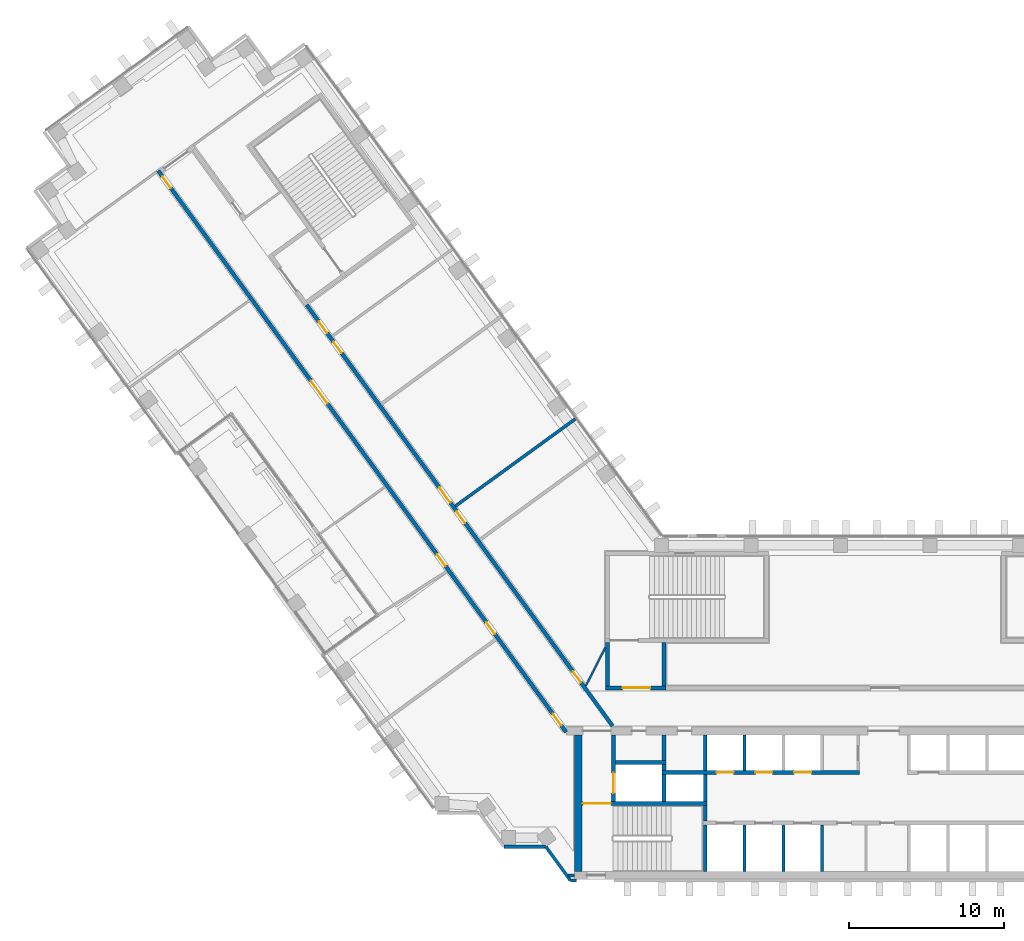
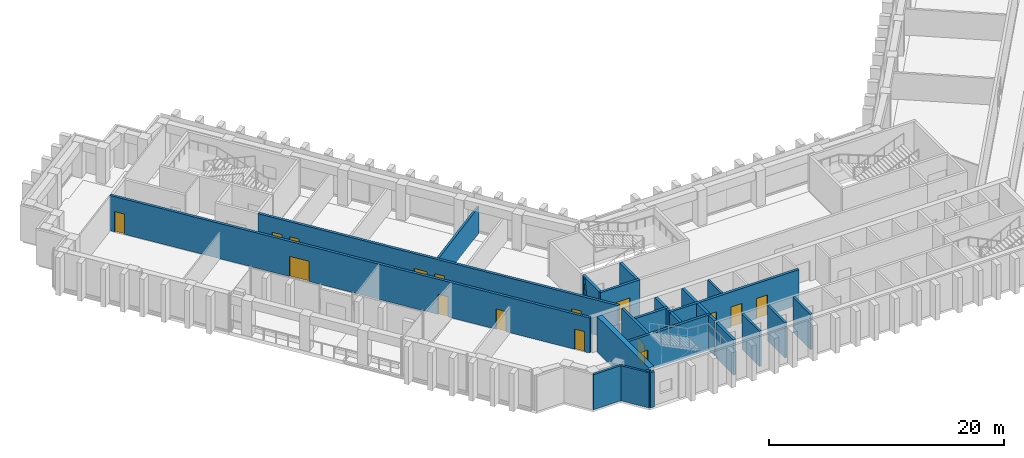
# One storey, part 8 of 16: 27 walls, 16 doors, 16 openings.
"""IFC4 building model written with IfcOpenShell, lengths in metres."""

from ifc_helpers import new_model, si_unit, direction, frame, frame_2d, origin, place, context, subcontext, project, spatial, rectangle, extrude, material, layer, layer_set, type_object, element, fill, save


model = new_model("IFC4")

# Units and contexts
model_context = context("Model", 3, precision=1e-05, world=origin(), true_north=direction((0.0, 1.0)))
body_context = subcontext(model_context, "Body", "Model", "MODEL_VIEW")
ifc_project = project(units=[si_unit("LENGTHUNIT", "METRE"), si_unit("AREAUNIT", "SQUARE_METRE"), si_unit("VOLUMEUNIT", "CUBIC_METRE"), si_unit("PLANEANGLEUNIT", "RADIAN"), si_unit("MASSUNIT", "GRAM", prefix="KILO")], contexts=[model_context])

# Site, building, storey
site_placement = place(None, origin())
site = spatial("IfcSite", under=ifc_project, at=site_placement, CompositionType="ELEMENT")
building_placement = place(site_placement, origin())
building = spatial("IfcBuilding", under=site, at=building_placement, Name="Quipu Civic Tower", CompositionType="ELEMENT")
storey_placement = place(building_placement, frame((0.0, 0.0, 51.0)))
storey = spatial("IfcBuildingStorey", under=building, at=storey_placement, Name="L11", CompositionType="ELEMENT", Elevation=51.0)

# Walls
ifc_material_1 = material(Name="Fired clay blockwork", Category="masonry")
ifc_layer_1 = layer(ifc_material_1, 0.199951171875)
ifc_layer_set_1 = layer_set([ifc_layer_1], Name="Fired clay blockwork")
wall_type_1 = type_object("IfcWallType", Name="Blockwork wall 200", PredefinedType="SOLIDWALL", material=ifc_layer_set_1)
wall_1_placement = place(storey_placement, frame((-19.938232421875, 18.62939453125, 0.0), z_axis=(0.0, 0.0, 1.0), x_axis=(-0.80900684162, -0.587799226107, 0.0)))
element("IfcWall", 1, at=wall_1_placement, inside=storey, type_object=wall_type_1, Name="Partition P18", PredefinedType="SOLIDWALL", context=body_context, shape_type="SweptSolid", body=[
    extrude(rectangle(XDim=9.550048828125, YDim=0.199951171875, at=frame_2d((4.77490234375, 0.0))), origin(), (0.0, 0.0, 1.0), 2.75),
])
ifc_material_2 = material(Name="Concrete C70/85", Category="concrete")
ifc_layer_2 = layer(ifc_material_2, 0.25)
ifc_layer_set_2 = layer_set([ifc_layer_2], Name="Concrete C70/85")
wall_type_2 = type_object("IfcWallType", Name="Core wall 250", PredefinedType="SHEAR", material=ifc_layer_set_2)
wall_2_placement = place(storey_placement, frame((-11.574951171875, -10.5, 0.0), z_axis=(0.0, 0.0, 1.0), x_axis=(0.0, 1.0, 0.0)))
element("IfcWall", 2, at=wall_2_placement, inside=storey, type_object=wall_type_2, Name="Core wall", PredefinedType="SHEAR", context=body_context, shape_type="SweptSolid", body=[
    extrude(rectangle(XDim=3.0, YDim=0.25, at=frame_2d((1.5, 0.0))), origin(), (0.0, 0.0, 1.0), 3.64990234375),
])
wall_3_placement = place(storey_placement, frame((-11.574951171875, -7.25, 0.0), z_axis=(0.0, 0.0, 1.0), x_axis=(0.0, 1.0, 0.0)))
element("IfcWall", 3, at=wall_3_placement, inside=storey, type_object=wall_type_2, Name="Core wall", PredefinedType="SHEAR", context=body_context, shape_type="SweptSolid", body=[
    extrude(rectangle(XDim=1.0, YDim=0.25, at=frame_2d((0.5, 0.0))), origin(), (0.0, 0.0, 1.0), 3.64990234375),
])

# Wall, opening, door
wall_4_placement = place(storey_placement, frame((-11.449951171875, -6.125, 0.0), z_axis=(0.0, 0.0, 1.0), x_axis=(-1.0, 0.0, 0.0)))
wall_4 = element("IfcWall", 4, at=wall_4_placement, inside=storey, type_object=wall_type_2, Name="Core wall", PredefinedType="SHEAR", context=body_context, shape_type="SweptSolid", body=[
    extrude(rectangle(XDim=8.050048828125, YDim=0.25, at=frame_2d((4.02490234375, 0.0))), origin(), (0.0, 0.0, 1.0), 3.64990234375),
])
opening_1_placement = place(wall_4_placement, frame((6.199951171875, 0.0, 0.0)))
opening_1 = element("IfcOpeningElement", 5, at=opening_1_placement, cuts=wall_4, Name="Opening CD-03", PredefinedType="OPENING", context=body_context, shape_type="SweptSolid", body=[
    extrude(rectangle(XDim=1.800048828125, YDim=2.10009765625, at=frame_2d((0.89990234375, 1.050048828125))), frame((0.0, 0.135009765625, 0.0), z_axis=(0.0, -1.0, 0.0), x_axis=(1.0, 0.0, 0.0)), (0.0, 0.0, 1.0), 0.27001953125),
])
ifc_material_3 = material(Name="Fire rated steel door", Category="steel")
door_type_1 = type_object("IfcDoorType", Name="Fire door FD90 double 1800 x 2100", OperationType="NOTDEFINED", PredefinedType="DOOR", material=ifc_material_3)
door_1_placement = place(opening_1_placement, origin())
door_1 = element("IfcDoor", 6, at=door_1_placement, inside=storey, type_object=door_type_1, Name="Door", OperationType="DOUBLE_DOOR_SINGLE_SWING", OverallHeight=2.10009765625, OverallWidth=1.800048828125, PredefinedType="DOOR", context=body_context, shape_type="SweptSolid", body=[
    extrude(rectangle(XDim=1.800048828125, YDim=2.10009765625, at=frame_2d((0.89990234375, 1.050048828125))), frame((0.0, 0.02490234375, 0.0), z_axis=(0.0, -1.0, 0.0), x_axis=(1.0, 0.0, 0.0)), (0.0, 0.0, 1.0), 0.050048828125),
])
fill(opening_1, door_1)

wall_5_placement = place(storey_placement, frame((-17.47509765625, -6.0, 0.0), z_axis=(0.0, 0.0, 1.0), x_axis=(0.0, 1.0, 0.0)))
wall_5 = element("IfcWall", 7, at=wall_5_placement, inside=storey, type_object=wall_type_2, Name="Core wall", PredefinedType="SHEAR", context=body_context, shape_type="SweptSolid", body=[
    extrude(rectangle(XDim=4.300048828125, YDim=0.25, at=frame_2d((2.14990234375, 0.0))), origin(), (0.0, 0.0, 1.0), 3.64990234375),
])
opening_2_placement = place(wall_5_placement, frame((0.550048828125, 0.0, 0.0)))
opening_2 = element("IfcOpeningElement", 8, at=opening_2_placement, cuts=wall_5, Name="Opening LD-FF1", PredefinedType="OPENING", context=body_context, shape_type="SweptSolid", body=[
    extrude(rectangle(XDim=1.300048828125, YDim=2.10009765625, at=frame_2d((0.64990234375, 1.050048828125))), frame((0.0, 0.135009765625, 0.0), z_axis=(0.0, -1.0, 0.0), x_axis=(1.0, 0.0, 0.0)), (0.0, 0.0, 1.0), 0.27001953125),
])
ifc_material_4 = material(Name="Stainless steel", Category="steel")
door_type_2 = type_object("IfcDoorType", Name="Lift landing door 1300 x 2100", OperationType="DOUBLE_DOOR_SLIDING", PredefinedType="DOOR", material=ifc_material_4)
door_2_placement = place(opening_2_placement, origin())
door_2 = element("IfcDoor", 9, at=door_2_placement, inside=storey, type_object=door_type_2, Name="Landing door FF1", OperationType="DOUBLE_DOOR_SLIDING", OverallHeight=2.10009765625, OverallWidth=1.300048828125, PredefinedType="DOOR", context=body_context, shape_type="SweptSolid", body=[
    extrude(rectangle(XDim=1.300048828125, YDim=2.10009765625, at=frame_2d((0.64990234375, 1.050048828125))), frame((0.0, 0.02490234375, 0.0), z_axis=(0.0, -1.0, 0.0), x_axis=(1.0, 0.0, 0.0)), (0.0, 0.0, 1.0), 0.050048828125),
])
fill(opening_2, door_2)

# Walls
for number, where, z_axis, x_axis, name in (
    (10, (-14.22509765625, -6.0, 0.0), (0.0, 0.0, 1.0), (0.0, 1.0, 0.0), "Core wall"),
    (11, (-11.574951171875, -6.0, 0.0), (0.0, 0.0, 1.0), (0.0, 1.0, 0.0), "Core wall"),
):
    element("IfcWall", number, at=place(storey_placement, frame(where, z_axis=z_axis, x_axis=x_axis)), inside=storey, type_object=wall_type_2, Name=name, PredefinedType="SHEAR", context=body_context, shape_type="SweptSolid", body=[
        extrude(rectangle(XDim=1.75, YDim=0.25, at=frame_2d((0.875, 0.0))), origin(), (0.0, 0.0, 1.0), 3.64990234375),
    ])

# Wall, openings, doors
wall_6_placement = place(storey_placement, frame((-14.35009765625, -4.125, 0.0), z_axis=(0.0, 0.0, 1.0), x_axis=(1.0, 0.0, 0.0)))
wall_6 = element("IfcWall", 12, at=wall_6_placement, inside=storey, type_object=wall_type_2, Name="Core wall", PredefinedType="SHEAR", context=body_context, shape_type="SweptSolid", body=[
    extrude(rectangle(XDim=12.7001953125, YDim=0.25, at=frame_2d((6.35009765625, 0.0))), origin(), (0.0, 0.0, 1.0), 3.64990234375),
])
opening_3_placement = place(wall_6_placement, frame((3.5, 0.0, 0.0)))
opening_3 = element("IfcOpeningElement", 13, at=opening_3_placement, cuts=wall_6, Name="Opening LD-LL4", PredefinedType="OPENING", context=body_context, shape_type="SweptSolid", body=[
    extrude(rectangle(XDim=1.10009765625, YDim=2.10009765625, at=frame_2d((0.550048828125, 1.050048828125))), frame((0.0, 0.135009765625, 0.0), z_axis=(0.0, -1.0, 0.0), x_axis=(1.0, 0.0, 0.0)), (0.0, 0.0, 1.0), 0.27001953125),
])
opening_4_placement = place(wall_6_placement, frame((6.0, 0.0, 0.0)))
opening_4 = element("IfcOpeningElement", 14, at=opening_4_placement, cuts=wall_6, Name="Opening LD-LL5", PredefinedType="OPENING", context=body_context, shape_type="SweptSolid", body=[
    extrude(rectangle(XDim=1.10009765625, YDim=2.10009765625, at=frame_2d((0.550048828125, 1.050048828125))), frame((0.0, 0.135009765625, 0.0), z_axis=(0.0, -1.0, 0.0), x_axis=(1.0, 0.0, 0.0)), (0.0, 0.0, 1.0), 0.27001953125),
])
opening_5_placement = place(wall_6_placement, frame((8.5, 0.0, 0.0)))
opening_5 = element("IfcOpeningElement", 15, at=opening_5_placement, cuts=wall_6, Name="Opening LD-LL6", PredefinedType="OPENING", context=body_context, shape_type="SweptSolid", body=[
    extrude(rectangle(XDim=1.10009765625, YDim=2.10009765625, at=frame_2d((0.550048828125, 1.050048828125))), frame((0.0, 0.135009765625, 0.0), z_axis=(0.0, -1.0, 0.0), x_axis=(1.0, 0.0, 0.0)), (0.0, 0.0, 1.0), 0.27001953125),
])
ifc_material_5 = material(Name="Stainless steel", Category="steel")
door_type_3 = type_object("IfcDoorType", Name="Lift landing door 1100 x 2100", OperationType="DOUBLE_DOOR_SLIDING", PredefinedType="DOOR", material=ifc_material_5)
door_3_placement = place(opening_3_placement, origin())
door_3 = element("IfcDoor", 16, at=door_3_placement, inside=storey, type_object=door_type_3, Name="Landing door LL4", OperationType="DOUBLE_DOOR_SLIDING", OverallHeight=2.10009765625, OverallWidth=1.10009765625, PredefinedType="DOOR", context=body_context, shape_type="SweptSolid", body=[
    extrude(rectangle(XDim=1.10009765625, YDim=2.10009765625, at=frame_2d((0.550048828125, 1.050048828125))), frame((0.0, 0.02490234375, 0.0), z_axis=(0.0, -1.0, 0.0), x_axis=(1.0, 0.0, 0.0)), (0.0, 0.0, 1.0), 0.050048828125),
])
fill(opening_3, door_3)
door_4_placement = place(opening_4_placement, origin())
door_4 = element("IfcDoor", 17, at=door_4_placement, inside=storey, type_object=door_type_3, Name="Landing door LL5", OperationType="DOUBLE_DOOR_SLIDING", OverallHeight=2.10009765625, OverallWidth=1.10009765625, PredefinedType="DOOR", context=body_context, shape_type="SweptSolid", body=[
    extrude(rectangle(XDim=1.10009765625, YDim=2.10009765625, at=frame_2d((0.550048828125, 1.050048828125))), frame((0.0, 0.02490234375, 0.0), z_axis=(0.0, -1.0, 0.0), x_axis=(1.0, 0.0, 0.0)), (0.0, 0.0, 1.0), 0.050048828125),
])
fill(opening_4, door_4)
door_5_placement = place(opening_5_placement, origin())
door_5 = element("IfcDoor", 18, at=door_5_placement, inside=storey, type_object=door_type_3, Name="Landing door LL6", OperationType="DOUBLE_DOOR_SLIDING", OverallHeight=2.10009765625, OverallWidth=1.10009765625, PredefinedType="DOOR", context=body_context, shape_type="SweptSolid", body=[
    extrude(rectangle(XDim=1.10009765625, YDim=2.10009765625, at=frame_2d((0.550048828125, 1.050048828125))), frame((0.0, 0.02490234375, 0.0), z_axis=(0.0, -1.0, 0.0), x_axis=(1.0, 0.0, 0.0)), (0.0, 0.0, 1.0), 0.050048828125),
])
fill(opening_5, door_5)

# Walls
wall_7_placement = place(storey_placement, frame((-14.22509765625, -4.0, 0.0), z_axis=(0.0, 0.0, 1.0), x_axis=(0.0, 1.0, 0.0)))
element("IfcWall", 19, at=wall_7_placement, inside=storey, type_object=wall_type_2, Name="Core wall", PredefinedType="SHEAR", context=body_context, shape_type="SweptSolid", body=[
    extrude(rectangle(XDim=0.39990234375, YDim=0.25, at=frame_2d((0.199951171875, 0.0))), origin(), (0.0, 0.0, 1.0), 3.64990234375),
])
wall_8_placement = place(storey_placement, frame((-11.574951171875, -4.0, 0.0), z_axis=(0.0, 0.0, 1.0), x_axis=(0.0, 1.0, 0.0)))
element("IfcWall", 20, at=wall_8_placement, inside=storey, type_object=wall_type_2, Name="Core wall", PredefinedType="SHEAR", context=body_context, shape_type="SweptSolid", body=[
    extrude(rectangle(XDim=2.300048828125, YDim=0.25, at=frame_2d((1.14990234375, 0.0))), origin(), (0.0, 0.0, 1.0), 3.64990234375),
])
wall_9_placement = place(storey_placement, frame((-17.35009765625, -3.47509765625, 0.0), z_axis=(0.0, 0.0, 1.0), x_axis=(1.0, 0.0, 0.0)))
element("IfcWall", 21, at=wall_9_placement, inside=storey, type_object=wall_type_2, Name="Core wall", PredefinedType="SHEAR", context=body_context, shape_type="SweptSolid", body=[
    extrude(rectangle(XDim=3.25, YDim=0.25, at=frame_2d((1.625, 0.0))), origin(), (0.0, 0.0, 1.0), 3.64990234375),
])
wall_10_placement = place(storey_placement, frame((-14.22509765625, -3.35009765625, 0.0), z_axis=(0.0, 0.0, 1.0), x_axis=(0.0, 1.0, 0.0)))
element("IfcWall", 22, at=wall_10_placement, inside=storey, type_object=wall_type_2, Name="Core wall", PredefinedType="SHEAR", context=body_context, shape_type="SweptSolid", body=[
    extrude(rectangle(XDim=1.650146484375, YDim=0.25, at=frame_2d((0.8251953125, 0.0))), origin(), (0.0, 0.0, 1.0), 3.64990234375),
])

# Wall, opening, door
wall_11_placement = place(storey_placement, frame((-18.0, 1.324951171875, 0.0), z_axis=(0.0, 0.0, 1.0), x_axis=(1.0, 0.0, 0.0)))
wall_11 = element("IfcWall", 23, at=wall_11_placement, inside=storey, type_object=wall_type_2, Name="Core wall", PredefinedType="SHEAR", context=body_context, shape_type="SweptSolid", body=[
    extrude(rectangle(XDim=3.89990234375, YDim=0.25, at=frame_2d((1.949951171875, 0.0))), origin(), (0.0, 0.0, 1.0), 3.64990234375),
])
opening_6_placement = place(wall_11_placement, frame((1.10009765625, 0.0, 0.0)))
opening_6 = element("IfcOpeningElement", 24, at=opening_6_placement, cuts=wall_11, Name="Opening CD-14", PredefinedType="OPENING", context=body_context, shape_type="SweptSolid", body=[
    extrude(rectangle(XDim=1.800048828125, YDim=2.10009765625, at=frame_2d((0.89990234375, 1.050048828125))), frame((0.0, 0.135009765625, 0.0), z_axis=(0.0, -1.0, 0.0), x_axis=(1.0, 0.0, 0.0)), (0.0, 0.0, 1.0), 0.27001953125),
])
door_6_placement = place(opening_6_placement, origin())
door_6 = element("IfcDoor", 25, at=door_6_placement, inside=storey, type_object=door_type_1, Name="Lobby door", OperationType="DOUBLE_DOOR_SINGLE_SWING", OverallHeight=2.10009765625, OverallWidth=1.800048828125, PredefinedType="DOOR", context=body_context, shape_type="SweptSolid", body=[
    extrude(rectangle(XDim=1.800048828125, YDim=2.10009765625, at=frame_2d((0.89990234375, 1.050048828125))), frame((0.0, 0.02490234375, 0.0), z_axis=(0.0, -1.0, 0.0), x_axis=(1.0, 0.0, 0.0)), (0.0, 0.0, 1.0), 0.050048828125),
])
fill(opening_6, door_6)

# Walls
for number, where, z_axis, x_axis, name in (
    (26, (-17.875, 1.449951171875, 0.0), (0.0, 0.0, 1.0), (0.0, 1.0, 0.0), "Core wall"),
    (27, (-14.22509765625, 1.449951171875, 0.0), (0.0, 0.0, 1.0), (0.0, 1.0, 0.0), "Core wall"),
):
    element("IfcWall", number, at=place(storey_placement, frame(where, z_axis=z_axis, x_axis=x_axis)), inside=storey, type_object=wall_type_2, Name=name, PredefinedType="SHEAR", context=body_context, shape_type="SweptSolid", body=[
        extrude(rectangle(XDim=2.800048828125, YDim=0.25, at=frame_2d((1.39990234375, 0.0))), origin(), (0.0, 0.0, 1.0), 3.64990234375),
    ])
ifc_material_6 = material(Name="Concrete C70/85", Category="concrete")
ifc_layer_3 = layer(ifc_material_6, 0.5)
ifc_layer_set_3 = layer_set([ifc_layer_3], Name="Concrete C70/85")
wall_type_3 = type_object("IfcWallType", Name="Core wall 500", PredefinedType="SHEAR", material=ifc_layer_set_3)
wall_12_placement = place(storey_placement, frame((-19.75, -10.5, 0.0), z_axis=(0.0, 0.0, 1.0), x_axis=(0.0, 1.0, 0.0)))
element("IfcWall", 28, at=wall_12_placement, inside=storey, type_object=wall_type_3, Name="Core wall", PredefinedType="SHEAR", context=body_context, shape_type="SweptSolid", body=[
    extrude(rectangle(XDim=8.800048828125, YDim=0.5, at=frame_2d((4.39990234375, 0.0))), origin(), (0.0, 0.0, 1.0), 3.64990234375),
])

# Wall, openings, doors
ifc_material_7 = material(Name="Concrete C50/60", Category="concrete")
ifc_layer_4 = layer(ifc_material_7, 0.25)
ifc_layer_set_4 = layer_set([ifc_layer_4], Name="Concrete C50/60")
wall_type_4 = type_object("IfcWallType", Name="Corridor wall 250 concrete", PredefinedType="SOLIDWALL", material=ifc_layer_set_4)
wall_13_placement = place(storey_placement, frame((-20.531005859375, -1.5234375, 0.0), z_axis=(0.0, 0.0, 1.0), x_axis=(-0.587784593204, 0.809017473231, 0.0)))
wall_13 = element("IfcWall", 29, at=wall_13_placement, inside=storey, type_object=wall_type_4, Name="Corridor wall C01", PredefinedType="SOLIDWALL", context=body_context, shape_type="SweptSolid", body=[
    extrude(rectangle(XDim=44.67041015625, YDim=0.25, at=frame_2d((22.335205078125, 0.0))), origin(), (0.0, 0.0, 1.0), 3.64990234375),
])
opening_7_placement = place(wall_13_placement, frame((26.14013671875, 0.0, 0.0)))
opening_7 = element("IfcOpeningElement", 30, at=opening_7_placement, cuts=wall_13, Name="Opening D019", PredefinedType="OPENING", context=body_context, shape_type="SweptSolid", body=[
    extrude(rectangle(XDim=1.800048828125, YDim=2.10009765625, at=frame_2d((0.89990234375, 1.050048828125))), frame((0.0, 0.135009765625, 0.0), z_axis=(0.0, -1.0, 0.0), x_axis=(1.0, 0.0, 0.0)), (0.0, 0.0, 1.0), 0.27001953125),
])
opening_8_placement = place(wall_13_placement, frame((43.295654296875, 0.0, 0.0)))
opening_8 = element("IfcOpeningElement", 31, at=opening_8_placement, cuts=wall_13, Name="Opening D018", PredefinedType="OPENING", context=body_context, shape_type="SweptSolid", body=[
    extrude(rectangle(XDim=0.89990234375, YDim=2.10009765625, at=frame_2d((0.449951171875, 1.050048828125))), frame((0.0, 0.135009765625, 0.0), z_axis=(0.0, -1.0, 0.0), x_axis=(1.0, 0.0, 0.0)), (0.0, 0.0, 1.0), 0.27001953125),
])
opening_9_placement = place(wall_13_placement, frame((13.216064453125, 0.0, 0.0)))
opening_9 = element("IfcOpeningElement", 32, at=opening_9_placement, cuts=wall_13, Name="Opening D020", PredefinedType="OPENING", context=body_context, shape_type="SweptSolid", body=[
    extrude(rectangle(XDim=0.89990234375, YDim=2.10009765625, at=frame_2d((0.449951171875, 1.050048828125))), frame((0.0, 0.135009765625, 0.0), z_axis=(0.0, -1.0, 0.0), x_axis=(1.0, 0.0, 0.0)), (0.0, 0.0, 1.0), 0.27001953125),
])
opening_10_placement = place(wall_13_placement, frame((7.81591796875, 0.0, 0.0)))
opening_10 = element("IfcOpeningElement", 33, at=opening_10_placement, cuts=wall_13, Name="Opening D021", PredefinedType="OPENING", context=body_context, shape_type="SweptSolid", body=[
    extrude(rectangle(XDim=0.89990234375, YDim=2.10009765625, at=frame_2d((0.449951171875, 1.050048828125))), frame((0.0, 0.135009765625, 0.0), z_axis=(0.0, -1.0, 0.0), x_axis=(1.0, 0.0, 0.0)), (0.0, 0.0, 1.0), 0.27001953125),
])
opening_11_placement = place(wall_13_placement, frame((0.53271484375, 0.0, 0.0)))
opening_11 = element("IfcOpeningElement", 34, at=opening_11_placement, cuts=wall_13, Name="Opening D022", PredefinedType="OPENING", context=body_context, shape_type="SweptSolid", body=[
    extrude(rectangle(XDim=0.89990234375, YDim=2.10009765625, at=frame_2d((0.449951171875, 1.050048828125))), frame((0.0, 0.135009765625, 0.0), z_axis=(0.0, -1.0, 0.0), x_axis=(1.0, 0.0, 0.0)), (0.0, 0.0, 1.0), 0.27001953125),
])
ifc_material_8 = material(Name="Fire rated timber door set with metal frame", Category="wood")
door_type_4 = type_object("IfcDoorType", Name="Double door 1800 x 2100 FD60", OperationType="DOUBLE_DOOR_SINGLE_SWING", PredefinedType="DOOR", material=ifc_material_8)
door_7_placement = place(opening_7_placement, origin())
door_7 = element("IfcDoor", 35, at=door_7_placement, inside=storey, type_object=door_type_4, Name="Door D019", OperationType="DOUBLE_DOOR_SINGLE_SWING", OverallHeight=2.10009765625, OverallWidth=1.800048828125, PredefinedType="DOOR", context=body_context, shape_type="SweptSolid", body=[
    extrude(rectangle(XDim=1.800048828125, YDim=2.10009765625, at=frame_2d((0.89990234375, 1.050048828125))), frame((0.0, 0.02490234375, 0.0), z_axis=(0.0, -1.0, 0.0), x_axis=(1.0, 0.0, 0.0)), (0.0, 0.0, 1.0), 0.050048828125),
])
fill(opening_7, door_7)
ifc_material_9 = material(Name="Fire rated timber door set with metal frame", Category="wood")
door_type_5 = type_object("IfcDoorType", Name="Single door 900 x 2100 FD60", OperationType="NOTDEFINED", PredefinedType="DOOR", material=ifc_material_9)
door_8_placement = place(opening_8_placement, origin())
door_8 = element("IfcDoor", 36, at=door_8_placement, inside=storey, type_object=door_type_5, Name="Door D018", OperationType="SINGLE_SWING_RIGHT", OverallHeight=2.10009765625, OverallWidth=0.89990234375, PredefinedType="DOOR", context=body_context, shape_type="SweptSolid", body=[
    extrude(rectangle(XDim=0.89990234375, YDim=2.10009765625, at=frame_2d((0.449951171875, 1.050048828125))), frame((0.0, 0.02490234375, 0.0), z_axis=(0.0, -1.0, 0.0), x_axis=(1.0, 0.0, 0.0)), (0.0, 0.0, 1.0), 0.050048828125),
])
fill(opening_8, door_8)
door_9_placement = place(opening_9_placement, origin())
door_9 = element("IfcDoor", 37, at=door_9_placement, inside=storey, type_object=door_type_5, Name="Door D020", OperationType="SINGLE_SWING_LEFT", OverallHeight=2.10009765625, OverallWidth=0.89990234375, PredefinedType="DOOR", context=body_context, shape_type="SweptSolid", body=[
    extrude(rectangle(XDim=0.89990234375, YDim=2.10009765625, at=frame_2d((0.449951171875, 1.050048828125))), frame((0.0, 0.02490234375, 0.0), z_axis=(0.0, -1.0, 0.0), x_axis=(1.0, 0.0, 0.0)), (0.0, 0.0, 1.0), 0.050048828125),
])
fill(opening_9, door_9)
door_10_placement = place(opening_10_placement, origin())
door_10 = element("IfcDoor", 38, at=door_10_placement, inside=storey, type_object=door_type_5, Name="Door D021", OperationType="SINGLE_SWING_LEFT", OverallHeight=2.10009765625, OverallWidth=0.89990234375, PredefinedType="DOOR", context=body_context, shape_type="SweptSolid", body=[
    extrude(rectangle(XDim=0.89990234375, YDim=2.10009765625, at=frame_2d((0.449951171875, 1.050048828125))), frame((0.0, 0.02490234375, 0.0), z_axis=(0.0, -1.0, 0.0), x_axis=(1.0, 0.0, 0.0)), (0.0, 0.0, 1.0), 0.050048828125),
])
fill(opening_10, door_10)
door_11_placement = place(opening_11_placement, origin())
door_11 = element("IfcDoor", 39, at=door_11_placement, inside=storey, type_object=door_type_5, Name="Door D022", OperationType="SINGLE_SWING_LEFT", OverallHeight=2.10009765625, OverallWidth=0.89990234375, PredefinedType="DOOR", context=body_context, shape_type="SweptSolid", body=[
    extrude(rectangle(XDim=0.89990234375, YDim=2.10009765625, at=frame_2d((0.449951171875, 1.050048828125))), frame((0.0, 0.02490234375, 0.0), z_axis=(0.0, -1.0, 0.0), x_axis=(1.0, 0.0, 0.0)), (0.0, 0.0, 1.0), 0.050048828125),
])
fill(opening_11, door_11)

wall_14_placement = place(storey_placement, frame((-37.231689453125, 25.9716796875, 0.0), z_axis=(0.0, 0.0, 1.0), x_axis=(0.587786323093, -0.809016216391, 0.0)))
wall_14 = element("IfcWall", 40, at=wall_14_placement, inside=storey, type_object=wall_type_4, Name="Corridor wall C04", PredefinedType="SOLIDWALL", context=body_context, shape_type="SweptSolid", body=[
    extrude(rectangle(XDim=33.4931640625, YDim=0.25, at=frame_2d((16.74658203125, 0.0))), origin(), (0.0, 0.0, 1.0), 3.64990234375),
])
opening_12_placement = place(wall_14_placement, frame((2.935302734375, 0.0, 0.0)))
opening_12 = element("IfcOpeningElement", 41, at=opening_12_placement, cuts=wall_14, Name="Opening D014", PredefinedType="OPENING", context=body_context, shape_type="SweptSolid", body=[
    extrude(rectangle(XDim=0.89990234375, YDim=2.10009765625, at=frame_2d((0.449951171875, 1.050048828125))), frame((0.0, 0.135009765625, 0.0), z_axis=(0.0, -1.0, 0.0), x_axis=(1.0, 0.0, 0.0)), (0.0, 0.0, 1.0), 0.27001953125),
])
opening_13_placement = place(wall_14_placement, frame((16.434814453125, 0.0, 0.0)))
opening_13 = element("IfcOpeningElement", 42, at=opening_13_placement, cuts=wall_14, Name="Opening D016", PredefinedType="OPENING", context=body_context, shape_type="SweptSolid", body=[
    extrude(rectangle(XDim=0.89990234375, YDim=2.10009765625, at=frame_2d((0.449951171875, 1.050048828125))), frame((0.0, 0.135009765625, 0.0), z_axis=(0.0, -1.0, 0.0), x_axis=(1.0, 0.0, 0.0)), (0.0, 0.0, 1.0), 0.27001953125),
])
opening_14_placement = place(wall_14_placement, frame((29.151611328125, 0.0, 0.0)))
opening_14 = element("IfcOpeningElement", 43, at=opening_14_placement, cuts=wall_14, Name="Opening D017", PredefinedType="OPENING", context=body_context, shape_type="SweptSolid", body=[
    extrude(rectangle(XDim=0.89990234375, YDim=2.10009765625, at=frame_2d((0.449951171875, 1.050048828125))), frame((0.0, 0.135009765625, 0.0), z_axis=(0.0, -1.0, 0.0), x_axis=(1.0, 0.0, 0.0)), (0.0, 0.0, 1.0), 0.27001953125),
])
opening_15_placement = place(wall_14_placement, frame((14.53564453125, 0.0, 0.0)))
opening_15 = element("IfcOpeningElement", 44, at=opening_15_placement, cuts=wall_14, Name="Opening D015", PredefinedType="OPENING", context=body_context, shape_type="SweptSolid", body=[
    extrude(rectangle(XDim=1.199951171875, YDim=2.10009765625, at=frame_2d((0.60009765625, 1.050048828125))), frame((0.0, 0.135009765625, 0.0), z_axis=(0.0, -1.0, 0.0), x_axis=(1.0, 0.0, 0.0)), (0.0, 0.0, 1.0), 0.27001953125),
])
opening_16_placement = place(wall_14_placement, frame((1.335205078125, 0.0, 0.0)))
opening_16 = element("IfcOpeningElement", 45, at=opening_16_placement, cuts=wall_14, Name="Opening D013", PredefinedType="OPENING", context=body_context, shape_type="SweptSolid", body=[
    extrude(rectangle(XDim=0.89990234375, YDim=2.10009765625, at=frame_2d((0.449951171875, 1.050048828125))), frame((0.0, 0.135009765625, 0.0), z_axis=(0.0, -1.0, 0.0), x_axis=(1.0, 0.0, 0.0)), (0.0, 0.0, 1.0), 0.27001953125),
])
ifc_material_10 = material(Name="Fire rated timber door set with metal frame", Category="wood")
door_type_6 = type_object("IfcDoorType", Name="Single door 1200 x 2100 FD60", OperationType="NOTDEFINED", PredefinedType="DOOR", material=ifc_material_10)
door_12_placement = place(opening_15_placement, origin())
door_12 = element("IfcDoor", 46, at=door_12_placement, inside=storey, type_object=door_type_6, Name="Door D015", OperationType="SINGLE_SWING_RIGHT", OverallHeight=2.10009765625, OverallWidth=1.199951171875, PredefinedType="DOOR", context=body_context, shape_type="SweptSolid", body=[
    extrude(rectangle(XDim=1.199951171875, YDim=2.10009765625, at=frame_2d((0.60009765625, 1.050048828125))), frame((0.0, 0.02490234375, 0.0), z_axis=(0.0, -1.0, 0.0), x_axis=(1.0, 0.0, 0.0)), (0.0, 0.0, 1.0), 0.050048828125),
])
fill(opening_15, door_12)
door_13_placement = place(opening_12_placement, origin())
door_13 = element("IfcDoor", 47, at=door_13_placement, inside=storey, type_object=door_type_5, Name="Door D014", OperationType="SINGLE_SWING_LEFT", OverallHeight=2.10009765625, OverallWidth=0.89990234375, PredefinedType="DOOR", context=body_context, shape_type="SweptSolid", body=[
    extrude(rectangle(XDim=0.89990234375, YDim=2.10009765625, at=frame_2d((0.449951171875, 1.050048828125))), frame((0.0, 0.02490234375, 0.0), z_axis=(0.0, -1.0, 0.0), x_axis=(1.0, 0.0, 0.0)), (0.0, 0.0, 1.0), 0.050048828125),
])
fill(opening_12, door_13)
door_14_placement = place(opening_13_placement, origin())
door_14 = element("IfcDoor", 48, at=door_14_placement, inside=storey, type_object=door_type_5, Name="Door D016", OperationType="SINGLE_SWING_LEFT", OverallHeight=2.10009765625, OverallWidth=0.89990234375, PredefinedType="DOOR", context=body_context, shape_type="SweptSolid", body=[
    extrude(rectangle(XDim=0.89990234375, YDim=2.10009765625, at=frame_2d((0.449951171875, 1.050048828125))), frame((0.0, 0.02490234375, 0.0), z_axis=(0.0, -1.0, 0.0), x_axis=(1.0, 0.0, 0.0)), (0.0, 0.0, 1.0), 0.050048828125),
])
fill(opening_13, door_14)
door_15_placement = place(opening_14_placement, origin())
door_15 = element("IfcDoor", 49, at=door_15_placement, inside=storey, type_object=door_type_5, Name="Door D017", OperationType="SINGLE_SWING_RIGHT", OverallHeight=2.10009765625, OverallWidth=0.89990234375, PredefinedType="DOOR", context=body_context, shape_type="SweptSolid", body=[
    extrude(rectangle(XDim=0.89990234375, YDim=2.10009765625, at=frame_2d((0.449951171875, 1.050048828125))), frame((0.0, 0.02490234375, 0.0), z_axis=(0.0, -1.0, 0.0), x_axis=(1.0, 0.0, 0.0)), (0.0, 0.0, 1.0), 0.050048828125),
])
fill(opening_14, door_15)
door_16_placement = place(opening_16_placement, origin())
door_16 = element("IfcDoor", 50, at=door_16_placement, inside=storey, type_object=door_type_5, Name="Door D013", OperationType="SINGLE_SWING_RIGHT", OverallHeight=2.10009765625, OverallWidth=0.89990234375, PredefinedType="DOOR", context=body_context, shape_type="SweptSolid", body=[
    extrude(rectangle(XDim=0.89990234375, YDim=2.10009765625, at=frame_2d((0.449951171875, 1.050048828125))), frame((0.0, 0.02490234375, 0.0), z_axis=(0.0, -1.0, 0.0), x_axis=(1.0, 0.0, 0.0)), (0.0, 0.0, 1.0), 0.050048828125),
])
fill(opening_16, door_16)

# Walls
ifc_material_11 = material(Name="Gypsum plasterboard on light gauge framing")
ifc_layer_5 = layer(ifc_material_11, 0.1201171875)
ifc_layer_set_5 = layer_set([ifc_layer_5], Name="Gypsum plasterboard on light gauge framing")
wall_type_5 = type_object("IfcWallType", Name="Partition 120 plasterboard", PredefinedType="PARTITIONING", material=ifc_layer_set_5)
wall_15_placement = place(storey_placement, frame((-19.260986328125, 1.449951171875, 0.0), z_axis=(0.0, 0.0, 1.0), x_axis=(0.453950796792, 0.891026752736, 0.0)))
element("IfcWall", 51, at=wall_15_placement, inside=storey, type_object=wall_type_5, Name="Partition P22", PredefinedType="PARTITIONING", context=body_context, shape_type="SweptSolid", body=[
    extrude(rectangle(XDim=2.77783203125, YDim=0.1201171875, at=frame_2d((1.388916015625, 0.0))), origin(), (0.0, 0.0, 1.0), 3.64990234375),
])
ifc_material_12 = material(Name="Precast concrete C40/50", Category="concrete")
wall_type_6 = type_object("IfcWallType", Name="Precast cladding wall", PredefinedType="SOLIDWALL", material=ifc_material_12)
wall_16_placement = place(storey_placement, frame((-24.542724609375, -8.90380859375, 0.0), z_axis=(0.0, 0.0, 1.0), x_axis=(1.0, 0.0, 0.0)))
element("IfcWall", 52, at=wall_16_placement, inside=storey, type_object=wall_type_6, Name="Precast cladding wall L11 P03", PredefinedType="SOLIDWALL", context=body_context, shape_type="SweptSolid", body=[
    extrude(rectangle(XDim=2.699951171875, YDim=0.199951171875, at=frame_2d((1.35009765625, 0.0))), origin(), (0.0, 0.0, 1.0), 3.64990234375),
])
wall_17_placement = place(storey_placement, frame((-21.8330078125, -8.90869140625, 0.0), z_axis=(0.0, 0.0, 1.0), x_axis=(0.587766567315, -0.809030569476, 0.0)))
element("IfcWall", 53, at=wall_17_placement, inside=storey, type_object=wall_type_6, Name="Precast cladding wall L11 P04", PredefinedType="SOLIDWALL", context=body_context, shape_type="SweptSolid", body=[
    extrude(rectangle(XDim=2.687744140625, YDim=0.199951171875, at=frame_2d((1.34375, 0.0))), origin(), (0.0, 0.0, 1.0), 3.64990234375),
])
wall_18_placement = place(storey_placement, frame((-20.255859375, -11.087890625, 0.0), z_axis=(0.0, 0.0, 1.0), x_axis=(1.0, 0.0, 0.0)))
element("IfcWall", 54, at=wall_18_placement, inside=storey, type_object=wall_type_6, Name="Precast cladding wall L11 P05", PredefinedType="SOLIDWALL", context=body_context, shape_type="SweptSolid", body=[
    extrude(rectangle(XDim=0.40576171875, YDim=0.199951171875, at=frame_2d((0.202880859375, 0.0))), origin(), (0.0, 0.0, 1.0), 3.64990234375),
])
wall_19_placement = place(storey_placement, frame((-19.97998046875, -10.75, 0.0), z_axis=(0.0, 0.0, 1.0), x_axis=(-1.0, 0.0, 0.0)))
element("IfcWall", 55, at=wall_19_placement, inside=storey, type_object=wall_type_6, Name="Precast cladding return L11 W", PredefinedType="SOLIDWALL", context=body_context, shape_type="SweptSolid", body=[
    extrude(rectangle(XDim=0.41650390625, YDim=0.199951171875, at=frame_2d((0.208251953125, 0.0))), origin(), (0.0, 0.0, 1.0), 3.64990234375),
])
ifc_material_13 = material(Name="Concrete C40/50", Category="concrete")
ifc_layer_6 = layer(ifc_material_13, 0.199951171875)
ifc_layer_set_6 = layer_set([ifc_layer_6], Name="Concrete C40/50")
wall_type_7 = type_object("IfcWallType", Name="Shaft wall 200", PredefinedType="SOLIDWALL", material=ifc_layer_set_6)
for number, where, z_axis, x_axis, name in (
    (56, (-9.050048828125, -10.5, 0.0), (0.0, 0.0, 1.0), (0.0, 1.0, 0.0), "Shaft wall"),
    (57, (-6.550048828125, -10.5, 0.0), (0.0, 0.0, 1.0), (0.0, 1.0, 0.0), "Shaft wall"),
    (58, (-4.050048828125, -10.5, 0.0), (0.0, 0.0, 1.0), (0.0, 1.0, 0.0), "Shaft wall"),
):
    element("IfcWall", number, at=place(storey_placement, frame(where, z_axis=z_axis, x_axis=x_axis)), inside=storey, type_object=wall_type_7, Name=name, PredefinedType="SOLIDWALL", context=body_context, shape_type="SweptSolid", body=[
        extrude(rectangle(XDim=3.0, YDim=0.199951171875, at=frame_2d((1.5, 0.0))), origin(), (0.0, 0.0, 1.0), 3.64990234375),
    ])
wall_20_placement = place(storey_placement, frame((-9.050048828125, -4.0, 0.0), z_axis=(0.0, 0.0, 1.0), x_axis=(0.0, 1.0, 0.0)))
element("IfcWall", 59, at=wall_20_placement, inside=storey, type_object=wall_type_7, Name="Shaft wall", PredefinedType="SOLIDWALL", context=body_context, shape_type="SweptSolid", body=[
    extrude(rectangle(XDim=2.300048828125, YDim=0.199951171875, at=frame_2d((1.14990234375, 0.0))), origin(), (0.0, 0.0, 1.0), 3.64990234375),
])

save(model, "model.ifc")
